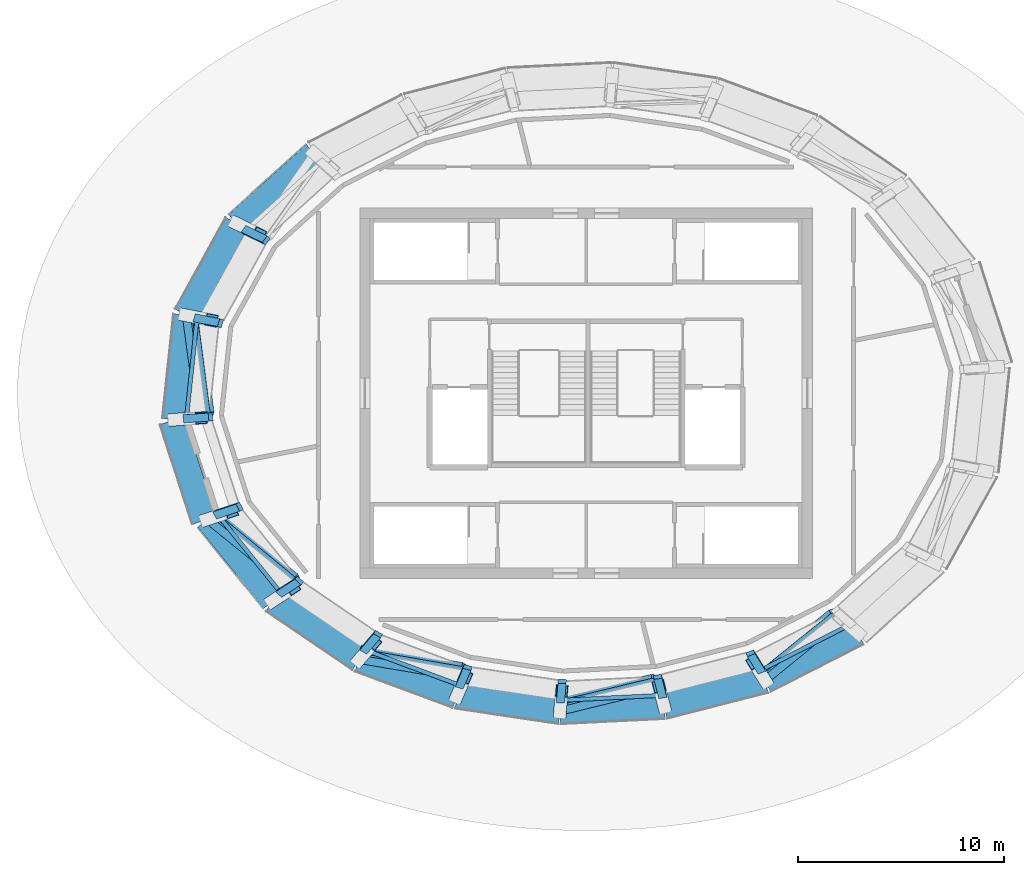
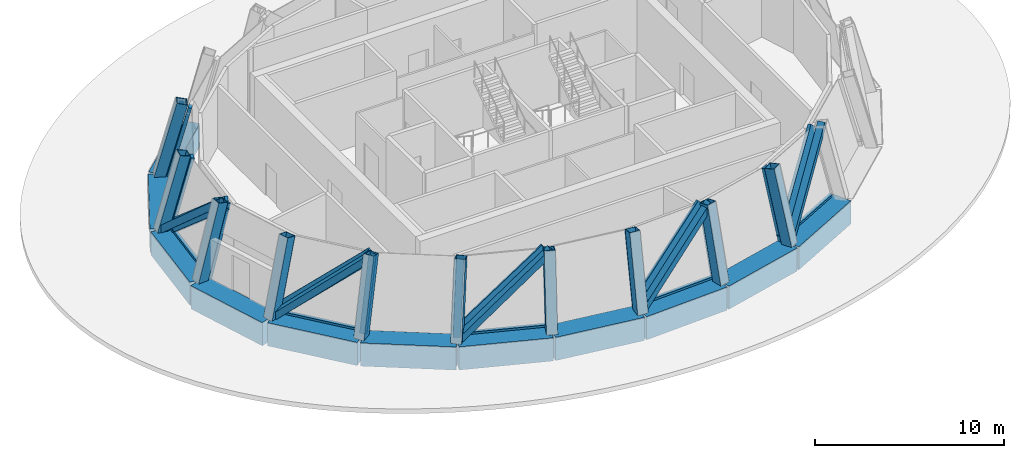
# One storey, part 1 of 9: 35 members, 11 beams, 1 element without a shape of its own.
"""IFC4 building model written with IfcOpenShell, lengths in metres."""

from ifc_helpers import new_model, si_unit, direction, frame, origin, origin_2d, place, context, subcontext, project, spatial, rectangle, hollow_rectangle, extrude, source, transform, mapped, material, material_profile, profile_set, type_object, element, aggregate, save


model = new_model("IFC4")

# Units and contexts
model_context = context("Model", 3, precision=1e-05, world=origin(), true_north=direction((0.0, 1.0)))
body_context = subcontext(model_context, "Body", "Model", "MODEL_VIEW")
ifc_project = project(units=[si_unit("LENGTHUNIT", "METRE"), si_unit("AREAUNIT", "SQUARE_METRE"), si_unit("VOLUMEUNIT", "CUBIC_METRE"), si_unit("PLANEANGLEUNIT", "RADIAN"), si_unit("MASSUNIT", "GRAM", prefix="KILO")], contexts=[model_context])

# Site, building, storey
site_placement = place(None, origin())
site = spatial("IfcSite", under=ifc_project, at=site_placement, CompositionType="ELEMENT")
building_placement = place(site_placement, origin())
building = spatial("IfcBuilding", under=site, at=building_placement, Name="Embergate Tower", CompositionType="ELEMENT")
storey_placement = place(building_placement, frame((0.0, 0.0, 352.0)))
storey = spatial("IfcBuildingStorey", under=building, at=storey_placement, Name="L80", CompositionType="ELEMENT", Elevation=352.0)

# Beams
ifc_material_1 = material(Name="Concrete C70", Category="concrete")
ifc_material_profile_1 = material_profile(ifc_material_1, rectangle(XDim=1.199951171875, YDim=1.5, at=origin_2d()), Name="RC 1200x1500")
ifc_profile_set_1 = profile_set([ifc_material_profile_1], Name="Concrete C70")
beam_type = type_object("IfcBeamType", Name="Crown cornice beam RC 1200x1500", PredefinedType="BEAM", material=ifc_profile_set_1)
shared_shape_1 = source(origin(), body_context, "Body", "SweptSolid", [
    extrude(rectangle(XDim=1.199951171875, YDim=1.5, at=origin_2d()), origin(), (0.0, 0.0, 1.0), 5.09375),
])
beam_1_placement = place(storey_placement, frame((-20.114990234375, -1.327880859375, -0.75), z_axis=(0.307414458882, -0.951575719777, 0.0), x_axis=(0.951575719777, 0.307414458882, 0.0)))
element("IfcBeam", 1, at=beam_1_placement, inside=storey, type_object=beam_type, Name="CRN-L80-RB11", PredefinedType="BEAM", context=body_context, shape_type="MappedRepresentation", body=[
    mapped(shared_shape_1, transform((0.0, 0.0, 0.0))),
])
shared_shape_2 = source(origin(), body_context, "Body", "SweptSolid", [
    extrude(rectangle(XDim=1.199951171875, YDim=1.5, at=origin_2d()), origin(), (0.0, 0.0, 1.0), 5.083740234375),
])
beam_2_placement = place(storey_placement, frame((-18.406005859375, -6.12890625, -0.75), z_axis=(0.628290157372, -0.777979098787, 0.0), x_axis=(0.777979098787, 0.628290157372, 0.0)))
element("IfcBeam", 2, at=beam_2_placement, inside=storey, type_object=beam_type, Name="CRN-L80-RB12", PredefinedType="BEAM", context=body_context, shape_type="MappedRepresentation", body=[
    mapped(shared_shape_2, transform((0.0, 0.0, 0.0))),
])
shared_shape_3 = source(origin(), body_context, "Body", "SweptSolid", [
    extrude(rectangle(XDim=1.199951171875, YDim=1.5, at=origin_2d()), origin(), (0.0, 0.0, 1.0), 5.072998046875),
])
beam_3_placement = place(storey_placement, frame((-15.2119140625, -10.083984375, -0.75), z_axis=(0.826876373411, -0.562383732958, 0.0), x_axis=(0.562383732958, 0.826876373411, 0.0)))
element("IfcBeam", 3, at=beam_3_placement, inside=storey, type_object=beam_type, Name="CRN-L80-RB13", PredefinedType="BEAM", context=body_context, shape_type="MappedRepresentation", body=[
    mapped(shared_shape_3, transform((0.0, 0.0, 0.0))),
])
shared_shape_4 = source(origin(), body_context, "Body", "SweptSolid", [
    extrude(rectangle(XDim=1.199951171875, YDim=1.5, at=origin_2d()), origin(), (0.0, 0.0, 1.0), 5.064453125),
])
beam_4_placement = place(storey_placement, frame((-11.01708984375, -12.93701171875, -0.75), z_axis=(0.93693793686, -0.349495783198, 0.0), x_axis=(0.349495783198, 0.93693793686, 0.0)))
element("IfcBeam", 4, at=beam_4_placement, inside=storey, type_object=beam_type, Name="CRN-L80-RB14", PredefinedType="BEAM", context=body_context, shape_type="MappedRepresentation", body=[
    mapped(shared_shape_4, transform((0.0, 0.0, 0.0))),
])
shared_shape_5 = source(origin(), body_context, "Body", "SweptSolid", [
    extrude(rectangle(XDim=1.199951171875, YDim=1.5, at=origin_2d()), origin(), (0.0, 0.0, 1.0), 5.06103515625),
])
beam_5_placement = place(storey_placement, frame((-6.27197265625, -14.70703125, -0.75), z_axis=(0.989081652244, -0.147368535291, 0.0), x_axis=(0.147368535291, 0.989081652244, 0.0)))
element("IfcBeam", 5, at=beam_5_placement, inside=storey, type_object=beam_type, Name="CRN-L80-RB15", PredefinedType="BEAM", context=body_context, shape_type="MappedRepresentation", body=[
    mapped(shared_shape_5, transform((0.0, 0.0, 0.0))),
])
shared_shape_6 = source(origin(), body_context, "Body", "SweptSolid", [
    extrude(rectangle(XDim=1.199951171875, YDim=1.5, at=origin_2d()), origin(), (0.0, 0.0, 1.0), 5.059326171875),
])
beam_6_placement = place(storey_placement, frame((-1.26611328125, -15.452880859375, -0.75), z_axis=(0.998799774364, 0.04897969712, 0.0), x_axis=(-0.04897969712, 0.998799774364, 0.0)))
element("IfcBeam", 6, at=beam_6_placement, inside=storey, type_object=beam_type, Name="CRN-L80-RB16", PredefinedType="BEAM", context=body_context, shape_type="MappedRepresentation", body=[
    mapped(shared_shape_6, transform((0.0, 0.0, 0.0))),
])
shared_shape_7 = source(origin(), body_context, "Body", "SweptSolid", [
    extrude(rectangle(XDim=1.199951171875, YDim=1.5, at=origin_2d()), origin(), (0.0, 0.0, 1.0), 5.06201171875),
])
beam_7_placement = place(storey_placement, frame((3.787109375, -15.205078125, -0.75), z_axis=(0.968921891841, 0.247366868256, 0.0), x_axis=(-0.247366868256, 0.968921891841, 0.0)))
element("IfcBeam", 7, at=beam_7_placement, inside=storey, type_object=beam_type, Name="CRN-L80-RB17", PredefinedType="BEAM", context=body_context, shape_type="MappedRepresentation", body=[
    mapped(shared_shape_7, transform((0.0, 0.0, 0.0))),
])
shared_shape_8 = source(origin(), body_context, "Body", "SweptSolid", [
    extrude(rectangle(XDim=1.199951171875, YDim=1.5, at=origin_2d()), origin(), (0.0, 0.0, 1.0), 5.069091796875),
])
beam_8_placement = place(storey_placement, frame((8.69189453125, -13.952880859375, -0.75), z_axis=(0.890736799748, 0.454519475463, 0.0), x_axis=(-0.454519475463, 0.890736799748, 0.0)))
element("IfcBeam", 8, at=beam_8_placement, inside=storey, type_object=beam_type, Name="CRN-L80-RB18", PredefinedType="BEAM", context=body_context, shape_type="MappedRepresentation", body=[
    mapped(shared_shape_8, transform((0.0, 0.0, 0.0))),
])
shared_shape_9 = source(origin(), body_context, "Body", "SweptSolid", [
    extrude(rectangle(XDim=1.199951171875, YDim=1.5, at=origin_2d()), origin(), (0.0, 0.0, 1.0), 5.078125),
])
beam_9_placement = place(storey_placement, frame((-13.20703125, 11.64892578125, -0.75), z_axis=(-0.741193992768, -0.671290894534, 0.0), x_axis=(0.671290894534, -0.741193992768, 0.0)))
element("IfcBeam", 9, at=beam_9_placement, inside=storey, type_object=beam_type, Name="CRN-L80-RB08", PredefinedType="BEAM", context=body_context, shape_type="MappedRepresentation", body=[
    mapped(shared_shape_9, transform((0.0, 0.0, 0.0))),
])
shared_shape_10 = source(origin(), body_context, "Body", "SweptSolid", [
    extrude(rectangle(XDim=1.199951171875, YDim=1.5, at=origin_2d()), origin(), (0.0, 0.0, 1.0), 5.08935546875),
])
beam_10_placement = place(storey_placement, frame((-16.970947265625, 8.239990234375, -0.75), z_axis=(-0.483788616394, -0.875184880267, 0.0), x_axis=(0.875184880267, -0.483788616394, 0.0)))
element("IfcBeam", 10, at=beam_10_placement, inside=storey, type_object=beam_type, Name="CRN-L80-RB09", PredefinedType="BEAM", context=body_context, shape_type="MappedRepresentation", body=[
    mapped(shared_shape_10, transform((0.0, 0.0, 0.0))),
])
shared_shape_11 = source(origin(), body_context, "Body", "SweptSolid", [
    extrude(rectangle(XDim=1.199951171875, YDim=1.5, at=origin_2d()), origin(), (0.0, 0.0, 1.0), 5.096435546875),
])
beam_11_placement = place(storey_placement, frame((-19.43310546875, 3.785888671875, -0.75), z_axis=(-0.105724576616, -0.994395451468, 0.0), x_axis=(0.994395451468, -0.105724576616, 0.0)))
element("IfcBeam", 11, at=beam_11_placement, inside=storey, type_object=beam_type, Name="CRN-L80-RB10", PredefinedType="BEAM", context=body_context, shape_type="MappedRepresentation", body=[
    mapped(shared_shape_11, transform((0.0, 0.0, 0.0))),
])

# Members
ifc_material_2 = material(Name="Steel Q355D", Category="steel")
ifc_material_profile_2 = material_profile(ifc_material_2, hollow_rectangle(XDim=0.60009765625, YDim=0.60009765625, WallThickness=0.028076171875, at=origin_2d()), Name="BOX 600x600x28")
ifc_profile_set_2 = profile_set([ifc_material_profile_2], Name="Steel Q355 grade D")
member_type_1 = type_object("IfcMemberType", Name="Glass point hip BOX 600x600x28", PredefinedType="MEMBER", material=ifc_profile_set_2)
shared_shape_12 = source(origin(), body_context, "Body", "SweptSolid", [
    extrude(hollow_rectangle(XDim=0.60009765625, YDim=0.60009765625, WallThickness=0.028076171875, at=origin_2d()), origin(), (0.0, 0.0, 1.0), 4.964111328125),
])
member_1_placement = place(storey_placement, frame((-20.010986328125, -1.284912109375, -0.14501953125), z_axis=(0.261892630484, 0.017115236696, 0.964945241333), x_axis=(-0.065213001989, 0.997871366646, 0.0)))
element("IfcMember", 12, at=member_1_placement, inside=storey, type_object=member_type_1, Name="CRN-L80-HP11", PredefinedType="MEMBER", context=body_context, shape_type="MappedRepresentation", body=[
    mapped(shared_shape_12, transform((0.0, 0.0, 0.0))),
])
shared_shape_13 = source(origin(), body_context, "Body", "SweptSolid", [
    extrude(hollow_rectangle(XDim=0.60009765625, YDim=0.60009765625, WallThickness=0.028076171875, at=origin_2d()), origin(), (0.0, 0.0, 1.0), 4.9541015625),
])
member_2_placement = place(storey_placement, frame((-18.44189453125, -6.14111328125, -0.14501953125), z_axis=(0.242021443218, 0.080772377405, 0.96690301689), x_axis=(-0.316575417601, 0.948567343403, 0.0)))
element("IfcMember", 13, at=member_2_placement, inside=storey, type_object=member_type_1, Name="CRN-L80-HP12", PredefinedType="MEMBER", context=body_context, shape_type="MappedRepresentation", body=[
    mapped(shared_shape_13, transform((0.0, 0.0, 0.0))),
])
shared_shape_14 = source(origin(), body_context, "Body", "SweptSolid", [
    extrude(hollow_rectangle(XDim=0.60009765625, YDim=0.60009765625, WallThickness=0.028076171875, at=origin_2d()), origin(), (0.0, 0.0, 1.0), 4.937255859375),
])
member_3_placement = place(storey_placement, frame((-15.241943359375, -10.10400390625, -0.14599609375), z_axis=(0.200710682198, 0.133065396845, 0.97057138955), x_axis=(-0.552566012863, 0.833469136459, 0.0)))
element("IfcMember", 14, at=member_3_placement, inside=storey, type_object=member_type_1, Name="CRN-L80-HP13", PredefinedType="MEMBER", context=body_context, shape_type="MappedRepresentation", body=[
    mapped(shared_shape_14, transform((0.0, 0.0, 0.0))),
])
shared_shape_15 = source(origin(), body_context, "Body", "SweptSolid", [
    extrude(hollow_rectangle(XDim=0.60009765625, YDim=0.60009765625, WallThickness=0.028076171875, at=origin_2d()), origin(), (0.0, 0.0, 1.0), 4.918701171875),
])
member_4_placement = place(storey_placement, frame((-11.0390625, -12.962890625, -0.14599609375), z_axis=(0.145979805997, 0.171790584344, 0.974257610374), x_axis=(-0.762031662807, 0.647539763165, 0.0)))
element("IfcMember", 15, at=member_4_placement, inside=storey, type_object=member_type_1, Name="CRN-L80-HP14", PredefinedType="MEMBER", context=body_context, shape_type="MappedRepresentation", body=[
    mapped(shared_shape_15, transform((0.0, 0.0, 0.0))),
])
shared_shape_16 = source(origin(), body_context, "Body", "SweptSolid", [
    extrude(hollow_rectangle(XDim=0.60009765625, YDim=0.60009765625, WallThickness=0.028076171875, at=origin_2d()), origin(), (0.0, 0.0, 1.0), 4.906005859375),
])
member_5_placement = place(storey_placement, frame((-6.284912109375, -14.736083984375, -0.14697265625), z_axis=(0.083555162071, 0.195277222137, 0.977182348083), x_axis=(-0.919375128815, 0.393381967706, 0.0)))
element("IfcMember", 16, at=member_5_placement, inside=storey, type_object=member_type_1, Name="CRN-L80-HP15", PredefinedType="MEMBER", context=body_context, shape_type="MappedRepresentation", body=[
    mapped(shared_shape_16, transform((0.0, 0.0, 0.0))),
])
shared_shape_17 = source(origin(), body_context, "Body", "SweptSolid", [
    extrude(hollow_rectangle(XDim=0.60009765625, YDim=0.60009765625, WallThickness=0.028076171875, at=origin_2d()), origin(), (0.0, 0.0, 1.0), 4.8994140625),
])
member_6_placement = place(storey_placement, frame((-1.26904296875, -15.48388671875, -0.14697265625), z_axis=(0.016942314745, 0.205699633137, 0.978468506851), x_axis=(-0.996625218581, 0.082086379437, 0.0)))
element("IfcMember", 17, at=member_6_placement, inside=storey, type_object=member_type_1, Name="CRN-L80-HP16", PredefinedType="MEMBER", context=body_context, shape_type="MappedRepresentation", body=[
    mapped(shared_shape_17, transform((0.0, 0.0, 0.0))),
])
shared_shape_18 = source(origin(), body_context, "Body", "SweptSolid", [
    extrude(hollow_rectangle(XDim=0.60009765625, YDim=0.60009765625, WallThickness=0.028076171875, at=origin_2d()), origin(), (0.0, 0.0, 1.0), 4.901611328125),
])
member_7_placement = place(storey_placement, frame((3.794921875, -15.235107421875, -0.14697265625), z_axis=(-0.050555337274, 0.202221349098, 0.97803409135), x_axis=(-0.970142500145, -0.242535625036, 0.0)))
element("IfcMember", 18, at=member_7_placement, inside=storey, type_object=member_type_1, Name="CRN-L80-HP17", PredefinedType="MEMBER", context=body_context, shape_type="MappedRepresentation", body=[
    mapped(shared_shape_18, transform((0.0, 0.0, 0.0))),
])
shared_shape_19 = source(origin(), body_context, "Body", "SweptSolid", [
    extrude(hollow_rectangle(XDim=0.60009765625, YDim=0.60009765625, WallThickness=0.028076171875, at=origin_2d()), origin(), (0.0, 0.0, 1.0), 4.910400390625),
])
member_8_placement = place(storey_placement, frame((8.708984375, -13.98095703125, -0.14599609375), z_axis=(-0.115250372801, 0.185305495872, 0.97589918781), x_axis=(-0.849161057944, -0.528133977009, 0.0)))
element("IfcMember", 19, at=member_8_placement, inside=storey, type_object=member_type_1, Name="CRN-L80-HP18", PredefinedType="MEMBER", context=body_context, shape_type="MappedRepresentation", body=[
    mapped(shared_shape_19, transform((0.0, 0.0, 0.0))),
])
shared_shape_20 = source(origin(), body_context, "Body", "SweptSolid", [
    extrude(hollow_rectangle(XDim=0.60009765625, YDim=0.60009765625, WallThickness=0.028076171875, at=origin_2d()), origin(), (0.0, 0.0, 1.0), 4.945556640625),
])
member_9_placement = place(storey_placement, frame((-17.0048828125, 8.256103515625, -0.14501953125), z_axis=(0.223825088723, -0.108605027611, 0.968559382607), x_axis=(0.436546124965, 0.899681877542, 0.0)))
element("IfcMember", 20, at=member_9_placement, inside=storey, type_object=member_type_1, Name="CRN-L80-HP09", PredefinedType="MEMBER", context=body_context, shape_type="MappedRepresentation", body=[
    mapped(shared_shape_20, transform((0.0, 0.0, 0.0))),
])
shared_shape_21 = source(origin(), body_context, "Body", "SweptSolid", [
    extrude(hollow_rectangle(XDim=0.60009765625, YDim=0.60009765625, WallThickness=0.028076171875, at=origin_2d()), origin(), (0.0, 0.0, 1.0), 4.96044921875),
])
member_10_placement = place(storey_placement, frame((-19.470947265625, 3.79296875, -0.14501953125), z_axis=(0.255001720994, -0.049563160209, 0.965669516677), x_axis=(0.190793589866, 0.98163017785, 0.0)))
element("IfcMember", 21, at=member_10_placement, inside=storey, type_object=member_type_1, Name="CRN-L80-HP10", PredefinedType="MEMBER", context=body_context, shape_type="MappedRepresentation", body=[
    mapped(shared_shape_21, transform((0.0, 0.0, 0.0))),
])
ifc_material_profile_3 = material_profile(ifc_material_2, hollow_rectangle(XDim=0.39990234375, YDim=0.39990234375, WallThickness=0.02197265625, at=origin_2d()), Name="BOX 400x400x22")
ifc_profile_set_3 = profile_set([ifc_material_profile_3], Name="Steel Q355 grade D")
member_type_2 = type_object("IfcMemberType", Name="Glass point brace BOX 400x400x22", PredefinedType="BRACE", material=ifc_profile_set_3)
shared_shape_22 = source(origin(), body_context, "Body", "SweptSolid", [
    extrude(hollow_rectangle(XDim=0.39990234375, YDim=0.39990234375, WallThickness=0.02197265625, at=origin_2d()), origin(), (0.0, 0.0, 1.0), 7.0537109375),
])
member_11_placement = place(storey_placement, frame((-19.447998046875, 3.89697265625, -0.10009765625), z_axis=(0.101066972776, -0.738758036618, 0.66634978078), x_axis=(0.990771320656, 0.135544052489, 0.0)))
element("IfcMember", 22, at=member_11_placement, inside=storey, type_object=member_type_2, Name="CRN-L80-DG10", PredefinedType="BRACE", context=body_context, shape_type="MappedRepresentation", body=[
    mapped(shared_shape_22, transform((0.0, 0.0, 0.0))),
])
shared_shape_23 = source(origin(), body_context, "Body", "SweptSolid", [
    extrude(hollow_rectangle(XDim=0.39990234375, YDim=0.39990234375, WallThickness=0.02197265625, at=origin_2d()), origin(), (0.0, 0.0, 1.0), 7.2578125),
])
member_12_placement = place(storey_placement, frame((-18.4951171875, -6.056884765625, -0.096923828125), z_axis=(0.592911008729, -0.479784960711, 0.6467325005), x_axis=(0.629047238065, 0.777367076922, 0.0)))
element("IfcMember", 23, at=member_12_placement, inside=storey, type_object=member_type_2, Name="CRN-L80-DG12", PredefinedType="BRACE", context=body_context, shape_type="MappedRepresentation", body=[
    mapped(shared_shape_23, transform((0.0, 0.0, 0.0))),
])
shared_shape_24 = source(origin(), body_context, "Body", "SweptSolid", [
    extrude(hollow_rectangle(XDim=0.39990234375, YDim=0.39990234375, WallThickness=0.02197265625, at=origin_2d()), origin(), (0.0, 0.0, 1.0), 7.178466796875),
])
member_13_placement = place(storey_placement, frame((-11.12890625, -12.91796875, -0.097900390625), z_axis=(0.745710195118, -0.126484366307, 0.654154423647), x_axis=(0.167227505443, 0.985918334054, 0.0)))
element("IfcMember", 24, at=member_13_placement, inside=storey, type_object=member_type_2, Name="CRN-L80-DG14", PredefinedType="BRACE", context=body_context, shape_type="MappedRepresentation", body=[
    mapped(shared_shape_24, transform((0.0, 0.0, 0.0))),
])
shared_shape_25 = source(origin(), body_context, "Body", "SweptSolid", [
    extrude(hollow_rectangle(XDim=0.39990234375, YDim=0.39990234375, WallThickness=0.02197265625, at=origin_2d()), origin(), (0.0, 0.0, 1.0), 6.999755859375),
])
member_14_placement = place(storey_placement, frame((-1.3740234375, -15.47900390625, -0.10107421875), z_axis=(0.71960228289, 0.17585472617, 0.671749707661), x_axis=(-0.237391877874, 0.971413967534, 0.0)))
element("IfcMember", 25, at=member_14_placement, inside=storey, type_object=member_type_2, Name="CRN-L80-DG16", PredefinedType="BRACE", context=body_context, shape_type="MappedRepresentation", body=[
    mapped(shared_shape_25, transform((0.0, 0.0, 0.0))),
])
shared_shape_26 = source(origin(), body_context, "Body", "SweptSolid", [
    extrude(hollow_rectangle(XDim=0.39990234375, YDim=0.39990234375, WallThickness=0.02197265625, at=origin_2d()), origin(), (0.0, 0.0, 1.0), 6.86474609375),
])
member_15_placement = place(storey_placement, frame((8.60693359375, -14.02197265625, -0.10302734375), z_axis=(0.564622828415, 0.459600706199, 0.6855423054), x_axis=(-0.631291214757, 0.775545873673, 0.0)))
element("IfcMember", 26, at=member_15_placement, inside=storey, type_object=member_type_2, Name="CRN-L80-DG18", PredefinedType="BRACE", context=body_context, shape_type="MappedRepresentation", body=[
    mapped(shared_shape_26, transform((0.0, 0.0, 0.0))),
])

# Curtain wall, members
ifc_material_3 = material(Name="Aluminium and glass", Category="aluminium")
curtain_wall_type = type_object("IfcCurtainWallType", Name="Crown facet glazing", PredefinedType="NOTDEFINED", material=ifc_material_3)
curtain_wall_placement = place(storey_placement, origin())
curtain_wall = element("IfcCurtainWall", 27, at=curtain_wall_placement, inside=storey, type_object=curtain_wall_type, Name="Crown facet glazing L80", ObjectType="CROWN FACET GLAZING", PredefinedType="USERDEFINED")
ifc_material_4 = material(Name="Aluminium, thermally broken", Category="aluminium")
ifc_material_profile_4 = material_profile(ifc_material_4, rectangle(XDim=0.199951171875, YDim=0.39990234375, at=origin_2d()), Name="AL 400x200")
ifc_profile_set_4 = profile_set([ifc_material_profile_4], Name="Aluminium, thermally broken")
member_type_3 = type_object("IfcMemberType", Name="Crown hip mullion", PredefinedType="MULLION", material=ifc_profile_set_4)
shared_shape_27 = source(origin(), body_context, "Body", "SweptSolid", [
    extrude(rectangle(XDim=0.199951171875, YDim=0.39990234375, at=origin_2d()), origin(), (0.0, 0.0, 1.0), 4.66357421875),
])
member_16_placement = place(storey_placement, frame((-19.482177734375, -1.231201171875, -0.1337890625), z_axis=(0.262060611369, 0.016961174208, 0.964902354924), x_axis=(-0.959792447084, -0.099658345996, 0.262424603635)))
member_16 = element("IfcMember", 28, at=member_16_placement, type_object=member_type_3, Name="CW hip 12", PredefinedType="MULLION", context=body_context, shape_type="MappedRepresentation", body=[
    mapped(shared_shape_27, transform((0.0, 0.0, 0.0))),
])
shared_shape_28 = source(origin(), body_context, "Body", "SweptSolid", [
    extrude(rectangle(XDim=0.199951171875, YDim=0.39990234375, at=origin_2d()), origin(), (0.0, 0.0, 1.0), 4.654296875),
])
member_17_placement = place(storey_placement, frame((-17.9736328125, -5.89501953125, -0.127685546875), z_axis=(0.242136875155, 0.080834689041, 0.966868908766), x_axis=(-0.850965399, -0.46100824883, 0.251653102931)))
member_17 = element("IfcMember", 29, at=member_17_placement, type_object=member_type_3, Name="CW hip 13", PredefinedType="MULLION", context=body_context, shape_type="MappedRepresentation", body=[
    mapped(shared_shape_28, transform((0.0, 0.0, 0.0))),
])
shared_shape_29 = source(origin(), body_context, "Body", "SweptSolid", [
    extrude(rectangle(XDim=0.199951171875, YDim=0.39990234375, at=origin_2d()), origin(), (0.0, 0.0, 1.0), 4.636474609375),
])
member_18_placement = place(storey_placement, frame((-14.87939453125, -9.72265625, -0.118408203125), z_axis=(0.200777857695, 0.133062063046, 0.970557952539), x_axis=(-0.658429670008, -0.715254200154, 0.234268646676)))
member_18 = element("IfcMember", 30, at=member_18_placement, type_object=member_type_3, Name="CW hip 14", PredefinedType="MULLION", context=body_context, shape_type="MappedRepresentation", body=[
    mapped(shared_shape_29, transform((0.0, 0.0, 0.0))),
])
shared_shape_30 = source(origin(), body_context, "Body", "SweptSolid", [
    extrude(rectangle(XDim=0.199951171875, YDim=0.39990234375, at=origin_2d()), origin(), (0.0, 0.0, 1.0), 4.618896484375),
])
member_19_placement = place(storey_placement, frame((-10.79150390625, -12.500732421875, -0.110595703125), z_axis=(0.145941475413, 0.171683416204, 0.974282243682), x_axis=(-0.447930102363, -0.866626885282, 0.219810065973)))
member_19 = element("IfcMember", 31, at=member_19_placement, type_object=member_type_3, Name="CW hip 15", PredefinedType="MULLION", context=body_context, shape_type="MappedRepresentation", body=[
    mapped(shared_shape_30, transform((0.0, 0.0, 0.0))),
])
shared_shape_31 = source(origin(), body_context, "Body", "SweptSolid", [
    extrude(rectangle(XDim=0.199951171875, YDim=0.39990234375, at=origin_2d()), origin(), (0.0, 0.0, 1.0), 4.605224609375),
])
member_20_placement = place(storey_placement, frame((-6.1494140625, -14.231201171875, -0.105712890625), z_axis=(0.083392314199, 0.195412632, 0.977169189643), x_axis=(-0.244231524189, -0.946670598292, 0.210156467711)))
member_20 = element("IfcMember", 32, at=member_20_placement, type_object=member_type_3, Name="CW hip 16", PredefinedType="MULLION", context=body_context, shape_type="MappedRepresentation", body=[
    mapped(shared_shape_31, transform((0.0, 0.0, 0.0))),
])
shared_shape_32 = source(origin(), body_context, "Body", "SweptSolid", [
    extrude(rectangle(XDim=0.199951171875, YDim=0.39990234375, at=origin_2d()), origin(), (0.0, 0.0, 1.0), 4.59912109375),
])
member_21_placement = place(storey_placement, frame((-1.24169921875, -14.962158203125, -0.103515625), z_axis=(0.016721915447, 0.205706102724, 0.978470938171), x_axis=(-0.048247596017, -0.977301760485, 0.206284847799)))
member_21 = element("IfcMember", 33, at=member_21_placement, type_object=member_type_3, Name="CW hip 17", PredefinedType="MULLION", context=body_context, shape_type="MappedRepresentation", body=[
    mapped(shared_shape_32, transform((0.0, 0.0, 0.0))),
])
shared_shape_33 = source(origin(), body_context, "Body", "SweptSolid", [
    extrude(rectangle(XDim=0.199951171875, YDim=0.39990234375, at=origin_2d()), origin(), (0.0, 0.0, 1.0), 4.60107421875),
])
member_22_placement = place(storey_placement, frame((3.7138671875, -14.718994140625, -0.104248046875), z_axis=(-0.050460906305, 0.202321173229, 0.978018322833), x_axis=(0.145831644446, -0.96727744167, 0.207623414657)))
member_22 = element("IfcMember", 34, at=member_22_placement, type_object=member_type_3, Name="CW hip 18", PredefinedType="MULLION", context=body_context, shape_type="MappedRepresentation", body=[
    mapped(shared_shape_33, transform((0.0, 0.0, 0.0))),
])
shared_shape_34 = source(origin(), body_context, "Body", "SweptSolid", [
    extrude(rectangle(XDim=0.199951171875, YDim=0.39990234375, at=origin_2d()), origin(), (0.0, 0.0, 1.0), 4.611083984375),
])
member_23_placement = place(storey_placement, frame((8.5185546875, -13.493408203125, -0.10791015625), z_axis=(-0.1153697299, 0.185205743547, 0.975904020885), x_axis=(0.344790460123, -0.91391309982, 0.214201738052)))
member_23 = element("IfcMember", 35, at=member_23_placement, type_object=member_type_3, Name="CW hip 19", PredefinedType="MULLION", context=body_context, shape_type="MappedRepresentation", body=[
    mapped(shared_shape_34, transform((0.0, 0.0, 0.0))),
])
shared_shape_35 = source(origin(), body_context, "Body", "SweptSolid", [
    extrude(rectangle(XDim=0.199951171875, YDim=0.39990234375, at=origin_2d()), origin(), (0.0, 0.0, 1.0), 4.64599609375),
])
member_24_placement = place(storey_placement, frame((-16.5859375, 7.934814453125, -0.123046875), z_axis=(0.223599415582, -0.108725544263, 0.968597985429), x_axis=(-0.760049525283, 0.602680259836, 0.243107432057)))
member_24 = element("IfcMember", 36, at=member_24_placement, type_object=member_type_3, Name="CW hip 10", PredefinedType="MULLION", context=body_context, shape_type="MappedRepresentation", body=[
    mapped(shared_shape_35, transform((0.0, 0.0, 0.0))),
])
shared_shape_36 = source(origin(), body_context, "Body", "SweptSolid", [
    extrude(rectangle(XDim=0.199951171875, YDim=0.39990234375, at=origin_2d()), origin(), (0.0, 0.0, 1.0), 4.66015625),
])
member_25_placement = place(storey_placement, frame((-18.963623046875, 3.637939453125, -0.131591796875), z_axis=(0.255131916946, -0.049769059774, 0.96562453658), x_axis=(-0.921250895029, 0.290740388455, 0.258392753246)))
member_25 = element("IfcMember", 37, at=member_25_placement, type_object=member_type_3, Name="CW hip 11", PredefinedType="MULLION", context=body_context, shape_type="MappedRepresentation", body=[
    mapped(shared_shape_36, transform((0.0, 0.0, 0.0))),
])
ifc_material_profile_5 = material_profile(ifc_material_4, rectangle(XDim=0.199951171875, YDim=0.139892578125, at=origin_2d()), Name="AL 140x200")
ifc_profile_set_5 = profile_set([ifc_material_profile_5], Name="Aluminium, thermally broken")
member_type_4 = type_object("IfcMemberType", Name="Crown facet transom", PredefinedType="USERDEFINED", material=ifc_profile_set_5)
shared_shape_37 = source(origin(), body_context, "Body", "SweptSolid", [
    extrude(rectangle(XDim=0.199951171875, YDim=0.139892578125, at=origin_2d()), origin(), (0.0, 0.0, 1.0), 4.682861328125),
])
member_26_placement = place(storey_placement, frame((-18.921142578125, 3.52587890625, 0.070068359375), z_axis=(-0.105783860869, -0.994389146552, 0.0), x_axis=(0.994389146552, -0.105783860869, 0.0)))
member_26 = element("IfcMember", 38, at=member_26_placement, type_object=member_type_4, Name="CW transom 11.1", ObjectType="TRANSOM", PredefinedType="USERDEFINED", context=body_context, shape_type="MappedRepresentation", body=[
    mapped(shared_shape_37, transform((0.0, 0.0, 0.0))),
])
ifc_material_profile_6 = material_profile(ifc_material_4, rectangle(XDim=0.199951171875, YDim=0.760009765625, at=origin_2d()), Name="AL 760x200")
ifc_profile_set_6 = profile_set([ifc_material_profile_6], Name="Aluminium, thermally broken")
member_type_5 = type_object("IfcMemberType", Name="Crown diagonal cover mullion", PredefinedType="MULLION", material=ifc_profile_set_6)
shared_shape_38 = source(origin(), body_context, "Body", "SweptSolid", [
    extrude(rectangle(XDim=0.199951171875, YDim=0.760009765625, at=origin_2d()), origin(), (0.0, 0.0, 1.0), 6.419189453125),
])
member_27_placement = place(storey_placement, frame((-18.906982421875, 3.638427734375, 0.078857421875), z_axis=(0.097440445742, -0.748184406178, 0.656296772723), x_axis=(-0.960452966417, 0.102135305303, 0.25903374049)))
member_27 = element("IfcMember", 39, at=member_27_placement, type_object=member_type_5, Name="CW diagonal mullion 11", PredefinedType="MULLION", context=body_context, shape_type="MappedRepresentation", body=[
    mapped(shared_shape_38, transform((0.0, 0.0, 0.0))),
])
shared_shape_39 = source(origin(), body_context, "Body", "SweptSolid", [
    extrude(rectangle(XDim=0.199951171875, YDim=0.139892578125, at=origin_2d()), origin(), (0.0, 0.0, 1.0), 4.67041015625),
])
member_28_placement = place(storey_placement, frame((-17.85498046875, -5.9638671875, 0.070068359375), z_axis=(0.62827748422, -0.77798933336, 0.0), x_axis=(0.77798933336, 0.62827748422, 0.0)))
member_28 = element("IfcMember", 40, at=member_28_placement, type_object=member_type_4, Name="CW transom 13.1", ObjectType="TRANSOM", PredefinedType="USERDEFINED", context=body_context, shape_type="MappedRepresentation", body=[
    mapped(shared_shape_39, transform((0.0, 0.0, 0.0))),
])
shared_shape_40 = source(origin(), body_context, "Body", "SweptSolid", [
    extrude(rectangle(XDim=0.199951171875, YDim=0.760009765625, at=origin_2d()), origin(), (0.0, 0.0, 1.0), 6.62744140625),
])
member_29_placement = place(storey_placement, frame((-17.9267578125, -5.87255859375, 0.076416015625), z_axis=(0.596283187568, -0.48750303974, 0.637798672363), x_axis=(-0.755305085309, -0.609846446452, 0.240003208014)))
member_29 = element("IfcMember", 41, at=member_29_placement, type_object=member_type_5, Name="CW diagonal mullion 13", PredefinedType="MULLION", context=body_context, shape_type="MappedRepresentation", body=[
    mapped(shared_shape_40, transform((0.0, 0.0, 0.0))),
])
shared_shape_41 = source(origin(), body_context, "Body", "SweptSolid", [
    extrude(rectangle(XDim=0.199951171875, YDim=0.139892578125, at=origin_2d()), origin(), (0.0, 0.0, 1.0), 4.65234375),
])
member_30_placement = place(storey_placement, frame((-10.632568359375, -12.51806640625, 0.070068359375), z_axis=(0.936935938692, -0.349501139895, 0.0), x_axis=(0.349501139895, 0.936935938692, 0.0)))
member_30 = element("IfcMember", 42, at=member_30_placement, type_object=member_type_4, Name="CW transom 15.1", ObjectType="TRANSOM", PredefinedType="USERDEFINED", context=body_context, shape_type="MappedRepresentation", body=[
    mapped(shared_shape_41, transform((0.0, 0.0, 0.0))),
])
shared_shape_42 = source(origin(), body_context, "Body", "SweptSolid", [
    extrude(rectangle(XDim=0.199951171875, YDim=0.760009765625, at=origin_2d()), origin(), (0.0, 0.0, 1.0), 6.559814453125),
])
member_31_placement = place(storey_placement, frame((-10.739990234375, -12.476318359375, 0.077392578125), z_axis=(0.751915623837, -0.130672462273, 0.64617923383), x_axis=(-0.341621132491, -0.915526819845, 0.212380893631)))
member_31 = element("IfcMember", 43, at=member_31_placement, type_object=member_type_5, Name="CW diagonal mullion 15", PredefinedType="MULLION", context=body_context, shape_type="MappedRepresentation", body=[
    mapped(shared_shape_42, transform((0.0, 0.0, 0.0))),
])
shared_shape_43 = source(origin(), body_context, "Body", "SweptSolid", [
    extrude(rectangle(XDim=0.199951171875, YDim=0.139892578125, at=origin_2d()), origin(), (0.0, 0.0, 1.0), 4.6474609375),
])
member_32_placement = place(storey_placement, frame((-1.08740234375, -14.918212890625, 0.070068359375), z_axis=(0.998795581825, 0.049065117205, 0.0), x_axis=(-0.049065117205, 0.998795581825, 0.0)))
member_32 = element("IfcMember", 44, at=member_32_placement, type_object=member_type_4, Name="CW transom 17.1", ObjectType="TRANSOM", PredefinedType="USERDEFINED", context=body_context, shape_type="MappedRepresentation", body=[
    mapped(shared_shape_43, transform((0.0, 0.0, 0.0))),
])
shared_shape_44 = source(origin(), body_context, "Body", "SweptSolid", [
    extrude(rectangle(XDim=0.199951171875, YDim=0.760009765625, at=origin_2d()), origin(), (0.0, 0.0, 1.0), 6.385986328125),
])
member_33_placement = place(storey_placement, frame((-1.200927734375, -14.921630859375, 0.07958984375), z_axis=(0.727298400609, 0.174675483199, 0.663720959471), x_axis=(0.047985018296, -0.977645471343, 0.204711431974)))
member_33 = element("IfcMember", 45, at=member_33_placement, type_object=member_type_5, Name="CW diagonal mullion 17", PredefinedType="MULLION", context=body_context, shape_type="MappedRepresentation", body=[
    mapped(shared_shape_44, transform((0.0, 0.0, 0.0))),
])
shared_shape_45 = source(origin(), body_context, "Body", "SweptSolid", [
    extrude(rectangle(XDim=0.199951171875, YDim=0.139892578125, at=origin_2d()), origin(), (0.0, 0.0, 1.0), 4.656494140625),
])
member_34_placement = place(storey_placement, frame((8.627197265625, -13.3935546875, 0.070068359375), z_axis=(0.890716384038, 0.454559482583, 0.0), x_axis=(-0.454559482583, 0.890716384038, 0.0)))
member_34 = element("IfcMember", 46, at=member_34_placement, type_object=member_type_4, Name="CW transom 19.1", ObjectType="TRANSOM", PredefinedType="USERDEFINED", context=body_context, shape_type="MappedRepresentation", body=[
    mapped(shared_shape_45, transform((0.0, 0.0, 0.0))),
])
shared_shape_46 = source(origin(), body_context, "Body", "SweptSolid", [
    extrude(rectangle(XDim=0.199951171875, YDim=0.760009765625, at=origin_2d()), origin(), (0.0, 0.0, 1.0), 6.247802734375),
])
member_35_placement = place(storey_placement, frame((8.526123046875, -13.442138671875, 0.081298828125), z_axis=(0.57321542246, 0.461846961487, 0.676846706145), x_axis=(0.443683965489, -0.869394564268, 0.2174801839)))
member_35 = element("IfcMember", 47, at=member_35_placement, type_object=member_type_5, Name="CW diagonal mullion 19", PredefinedType="MULLION", context=body_context, shape_type="MappedRepresentation", body=[
    mapped(shared_shape_46, transform((0.0, 0.0, 0.0))),
])
aggregate(curtain_wall, [member_24, member_25, member_26, member_27, member_16, member_17, member_28, member_29, member_18, member_19, member_30, member_31, member_20, member_21, member_32, member_33, member_22, member_23, member_34, member_35])

save(model, "model.ifc")
